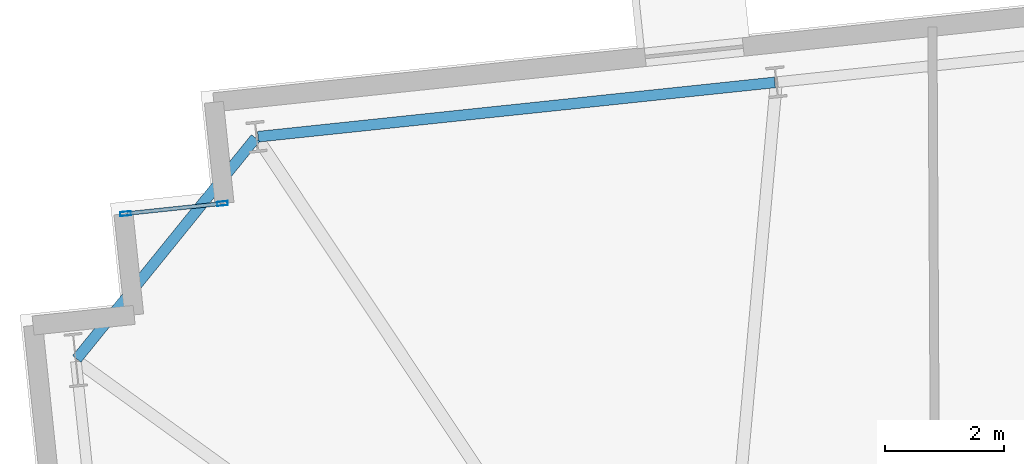
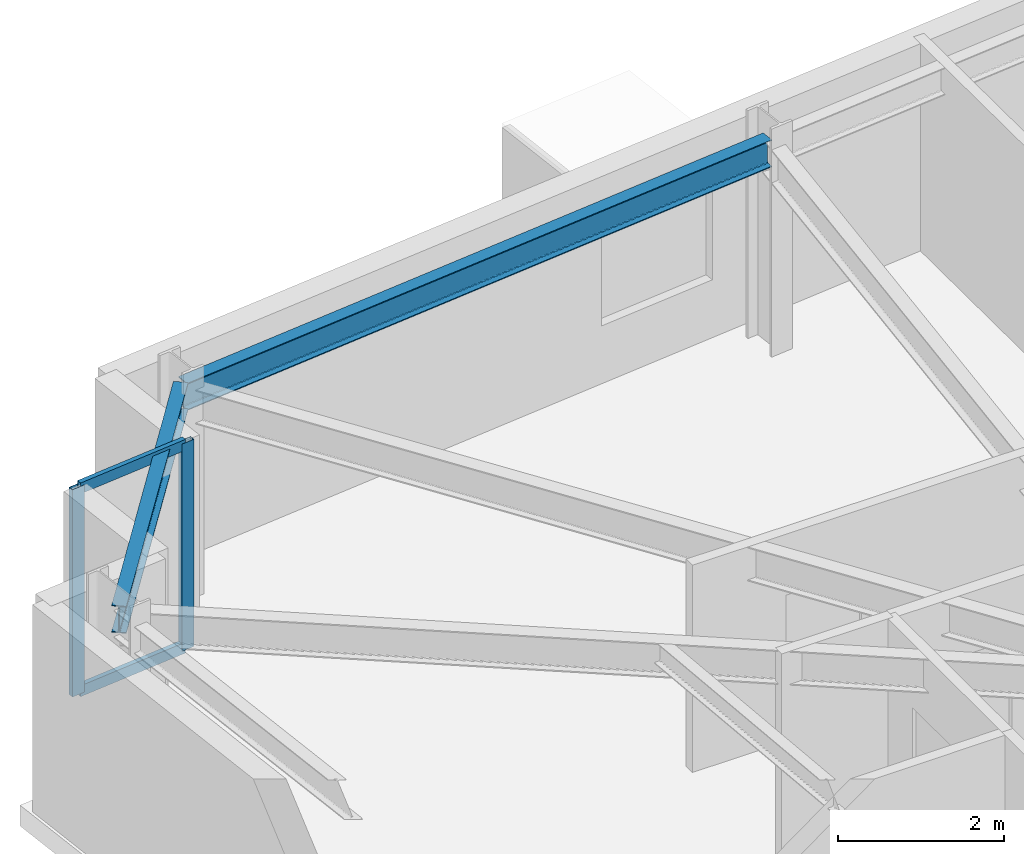
# One storey, part 12 of 23: 4 members, 2 beams, 1 element without a shape of its own.
"""IFC4 building model written with IfcOpenShell, lengths in metres."""

from ifc_helpers import new_model, si_unit, direction, frame, origin, origin_2d, place, context, subcontext, project, spatial, hollow_rectangle, i_section, extrude, material, layer, layer_set, material_profile, profile_set, type_object, element, aggregate, save


model = new_model("IFC4")

# Units and contexts
model_context = context("Model", 3, precision=1e-05, world=origin(), true_north=direction((0.0, 1.0)))
body_context = subcontext(model_context, "Body", "Model", "MODEL_VIEW")
ifc_project = project(units=[si_unit("LENGTHUNIT", "METRE"), si_unit("AREAUNIT", "SQUARE_METRE"), si_unit("VOLUMEUNIT", "CUBIC_METRE"), si_unit("PLANEANGLEUNIT", "RADIAN"), si_unit("MASSUNIT", "GRAM", prefix="KILO")], contexts=[model_context])

# Site, building, storey
site_placement = place(None, origin())
site = spatial("IfcSite", under=ifc_project, at=site_placement, CompositionType="ELEMENT")
building_placement = place(site_placement, origin())
building = spatial("IfcBuilding", under=site, at=building_placement, Name="Qobustan Lattice House", CompositionType="ELEMENT")
storey_placement = place(building_placement, frame((0.0, 0.0, 102.449951171875)))
storey = spatial("IfcBuildingStorey", under=building, at=storey_placement, Name="L28", CompositionType="ELEMENT", Elevation=102.449951171875)

# Beams
ifc_material_1 = material(Name="Steel S355", Category="steel")
ifc_material_profile_1 = material_profile(ifc_material_1, i_section(OverallWidth=0.179931640625, OverallDepth=0.39990234375, WebThickness=0.008544921875, FlangeThickness=0.013427734375, FilletRadius=0.02099609375, at=origin_2d()), Name="IPE400")
ifc_profile_set_1 = profile_set([ifc_material_profile_1], Name="Steel S355")
beam_type = type_object("IfcBeamType", Name="BM-SPD-IPE400", PredefinedType="SPANDREL", material=ifc_profile_set_1)
beam_1_placement = place(storey_placement, frame((-17.7158203125, 17.919189453125, 2.844970703125), z_axis=(-0.994521279781, -0.10453432002, 0.0), x_axis=(0.10453432002, -0.994521279781, 0.0)))
element("IfcBeam", 1, at=beam_1_placement, inside=storey, type_object=beam_type, Name="L28 perimeter spandrel N6-N7", PredefinedType="SPANDREL", context=body_context, shape_type="SweptSolid", body=[
    extrude(i_section(OverallWidth=0.179931640625, OverallDepth=0.39990234375, WebThickness=0.008544921875, FlangeThickness=0.013427734375, FilletRadius=0.02099609375, at=origin_2d()), origin(), (0.0, 0.0, 1.0), 8.69970703125),
])
beam_2_placement = place(storey_placement, frame((-26.40869140625, 16.98779296875, 2.844970703125), z_axis=(-0.629326627121, -0.777140911545, 0.0), x_axis=(0.777140911545, -0.629326627121, 0.0)))
element("IfcBeam", 2, at=beam_2_placement, inside=storey, type_object=beam_type, Name="L28 perimeter spandrel N7-W1", PredefinedType="SPANDREL", context=body_context, shape_type="SweptSolid", body=[
    extrude(i_section(OverallWidth=0.179931640625, OverallDepth=0.39990234375, WebThickness=0.008544921875, FlangeThickness=0.013427734375, FilletRadius=0.02099609375, at=origin_2d()), origin(), (0.0, 0.0, 1.0), 4.758544921875),
])

# Curtain wall, members
ifc_material_2 = material(Name="Anodised aluminium and low-E glazing", Category="aluminium")
ifc_layer = layer(ifc_material_2, 0.219970703125)
ifc_layer_set = layer_set([ifc_layer], Name="Anodised aluminium and low-E glazing")
curtain_wall_type = type_object("IfcCurtainWallType", Name="CW-FAC-01", PredefinedType="USERDEFINED", material=ifc_layer_set)
curtain_wall_placement = place(storey_placement, origin())
curtain_wall = element("IfcCurtainWall", 3, at=curtain_wall_placement, inside=storey, type_object=curtain_wall_type, Name="L28 serrated corner faceted glazing 8", ObjectType="CURTAIN WALL", PredefinedType="USERDEFINED")
ifc_material_3 = material(Name="Anodised aluminium EN AW-6063 T6", Category="aluminium")
ifc_material_profile_2 = material_profile(ifc_material_3, hollow_rectangle(XDim=0.070068359375, YDim=0.179931640625, WallThickness=0.00439453125, at=origin_2d()), Name="CWM-180x70")
ifc_profile_set_2 = profile_set([ifc_material_profile_2], Name="Anodised aluminium EN AW-6063 T6")
member_type_1 = type_object("IfcMemberType", Name="CWM-STD-180", PredefinedType="MULLION", material=ifc_profile_set_2)
member_1_placement = place(storey_placement, frame((-28.58544921875, 15.720947265625, 0.0), z_axis=(0.0, 0.0, 1.0), x_axis=(-0.104528620025, 0.994521878892, 0.0)))
member_1 = element("IfcMember", 4, at=member_1_placement, type_object=member_type_1, Name="CW-F1 mullion 1", PredefinedType="MULLION", context=body_context, shape_type="SweptSolid", body=[
    extrude(hollow_rectangle(XDim=0.070068359375, YDim=0.179931640625, WallThickness=0.00439453125, at=origin_2d()), origin(), (0.0, 0.0, 1.0), 3.045166015625),
])
member_2_placement = place(storey_placement, frame((-26.96435546875, 15.891357421875, 0.0), z_axis=(0.0, 0.0, 1.0), x_axis=(-0.104528620025, 0.994521878892, 0.0)))
member_2 = element("IfcMember", 5, at=member_2_placement, type_object=member_type_1, Name="CW-F1 mullion 2", PredefinedType="MULLION", context=body_context, shape_type="SweptSolid", body=[
    extrude(hollow_rectangle(XDim=0.070068359375, YDim=0.179931640625, WallThickness=0.00439453125, at=origin_2d()), origin(), (0.0, 0.0, 1.0), 3.045166015625),
])
ifc_material_4 = material(Name="Anodised aluminium EN AW-6063 T6", Category="aluminium")
ifc_material_profile_3 = material_profile(ifc_material_4, hollow_rectangle(XDim=0.06494140625, YDim=0.159912109375, WallThickness=0.00390625, at=origin_2d()), Name="CWT-160x65")
ifc_profile_set_3 = profile_set([ifc_material_profile_3], Name="Anodised aluminium EN AW-6063 T6")
member_type_2 = type_object("IfcMemberType", Name="CWT-HOR-160", PredefinedType="USERDEFINED", material=ifc_profile_set_3)
member_3_placement = place(storey_placement, frame((-28.55078125, 15.724609375, 0.032470703125), z_axis=(0.994520877159, 0.104538150424, 0.0), x_axis=(-0.104538150424, 0.994520877159, 0.0)))
member_3 = element("IfcMember", 6, at=member_3_placement, type_object=member_type_2, Name="CW-F1 transom 1.1", ObjectType="TRANSOM", PredefinedType="USERDEFINED", context=body_context, shape_type="SweptSolid", body=[
    extrude(hollow_rectangle(XDim=0.06494140625, YDim=0.159912109375, WallThickness=0.00390625, at=origin_2d()), origin(), (0.0, 0.0, 1.0), 1.56005859375),
])
member_4_placement = place(storey_placement, frame((-28.55078125, 15.724609375, 3.012451171875), z_axis=(0.994520877159, 0.104538150424, 0.0), x_axis=(-0.104538150424, 0.994520877159, 0.0)))
member_4 = element("IfcMember", 7, at=member_4_placement, type_object=member_type_2, Name="CW-F1 transom 1.2", ObjectType="TRANSOM", PredefinedType="USERDEFINED", context=body_context, shape_type="SweptSolid", body=[
    extrude(hollow_rectangle(XDim=0.06494140625, YDim=0.159912109375, WallThickness=0.00390625, at=origin_2d()), origin(), (0.0, 0.0, 1.0), 1.56005859375),
])
aggregate(curtain_wall, [member_1, member_2, member_3, member_4])

save(model, "model.ifc")
